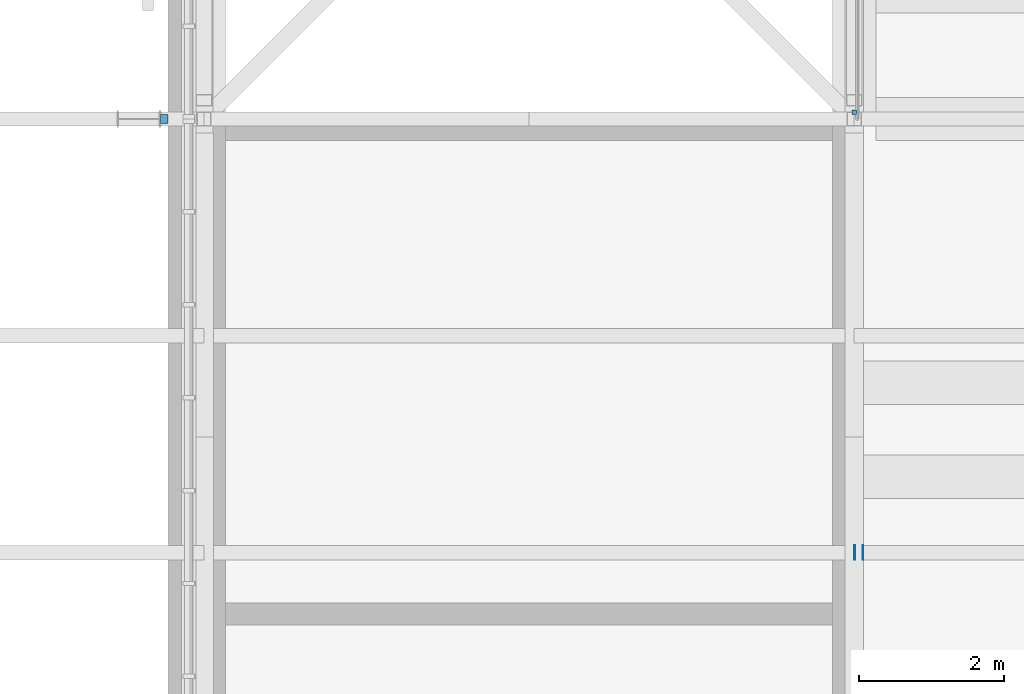
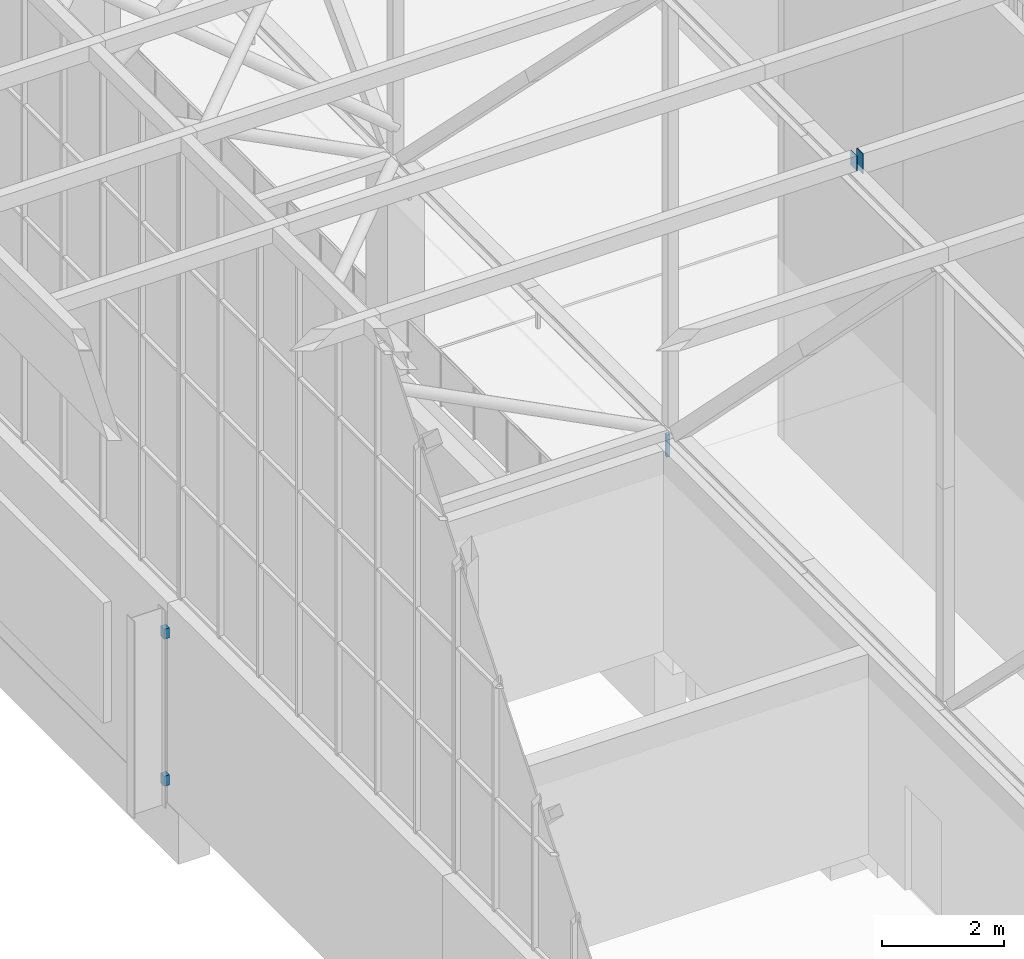
# One storey, part 185 of 646: 5 discrete accessories.
"""IFC4 building model written with IfcOpenShell, lengths in metres."""

from ifc_helpers import new_model, si_unit, direction, frame, origin, origin_2d, place, context, subcontext, project, spatial, rectangle, extrude, material, layer, layer_set, type_object, element, save


model = new_model("IFC4")

# Units and contexts
model_context = context("Model", 3, precision=1e-05, world=origin(), true_north=direction((0.0, 1.0)))
body_context = subcontext(model_context, "Body", "Model", "MODEL_VIEW")
ifc_project = project(units=[si_unit("LENGTHUNIT", "METRE"), si_unit("AREAUNIT", "SQUARE_METRE"), si_unit("VOLUMEUNIT", "CUBIC_METRE"), si_unit("PLANEANGLEUNIT", "RADIAN"), si_unit("MASSUNIT", "GRAM", prefix="KILO")], contexts=[model_context])

# Site, building, storey
site_placement = place(None, origin())
site = spatial("IfcSite", under=ifc_project, at=site_placement, CompositionType="ELEMENT")
building_placement = place(site_placement, origin())
building = spatial("IfcBuilding", under=site, at=building_placement, Name="Silverbay Arena", CompositionType="ELEMENT")
storey_placement = place(building_placement, frame((0.0, 0.0, 33.5)))
storey = spatial("IfcBuildingStorey", under=building, at=storey_placement, Name="L05", CompositionType="ELEMENT", Elevation=33.5)

# Discrete accessories
ifc_material_1 = material(Name="Steel S355", Category="steel")
discrete_accessory_type_1 = type_object("IfcDiscreteAccessoryType", Name="Ceiling hanger", PredefinedType="BRACKET", material=ifc_material_1)
discrete_accessory_1_placement = place(storey_placement, frame((63.0, 72.094970703125, 3.5498046875), z_axis=(0.0, 0.0, 1.0), x_axis=(1.0, 0.0, 0.0)))
element("IfcDiscreteAccessory", 1, at=discrete_accessory_1_placement, inside=storey, type_object=discrete_accessory_type_1, Name="Ceiling hanger", PredefinedType="BRACKET", context=body_context, shape_type="SweptSolid", body=[
    extrude(rectangle(XDim=0.06005859375, YDim=0.06005859375, at=origin_2d()), origin(), (0.0, 0.0, 1.0), 0.449951171875),
])
ifc_material_2 = material(Name="Steel S355", Category="steel")
ifc_layer = layer(ifc_material_2, 0.011962890625)
ifc_layer_set = layer_set([ifc_layer], Name="Steel S355")
discrete_accessory_type_2 = type_object("IfcDiscreteAccessoryType", Name="Purlin end plate 12", PredefinedType="USERDEFINED", material=ifc_layer_set)
discrete_accessory_2_placement = place(storey_placement, frame((63.0, 66.0, 13.14990234375), z_axis=(1.0, 0.0, 0.0), x_axis=(0.0, 1.0, 0.0)))
element("IfcDiscreteAccessory", 2, at=discrete_accessory_2_placement, inside=storey, type_object=discrete_accessory_type_2, Name="Purlin end plate", ObjectType="END PLATE", PredefinedType="USERDEFINED", context=body_context, shape_type="SweptSolid", body=[
    extrude(rectangle(XDim=0.199951171875, YDim=0.300048828125, at=origin_2d()), origin(), (0.0, 0.0, 1.0), 0.011962890625),
])
discrete_accessory_3_placement = place(storey_placement, frame((63.127197265625, 66.0, 13.10009765625), z_axis=(-1.0, 0.0, 0.0), x_axis=(0.0, -1.0, 0.0)))
element("IfcDiscreteAccessory", 3, at=discrete_accessory_3_placement, inside=storey, type_object=discrete_accessory_type_2, Name="Purlin end plate", ObjectType="END PLATE", PredefinedType="USERDEFINED", context=body_context, shape_type="SweptSolid", body=[
    extrude(rectangle(XDim=0.199951171875, YDim=0.39990234375, at=origin_2d()), origin(), (0.0, 0.0, 1.0), 0.011962890625),
])
ifc_material_3 = material(Name="Steel S355", Category="steel")
discrete_accessory_type_3 = type_object("IfcDiscreteAccessoryType", Name="Steel bracket plate", PredefinedType="BRACKET", material=ifc_material_3)
for number, where, z_axis, x_axis, name in (
    (4, (53.449951171875, 72.0, 0.39990234375), (0.0, 0.0, 1.0), (1.0, 0.0, 0.0), "Fin bracket"),
    (5, (53.449951171875, 72.0, 3.33984375), (0.0, 0.0, 1.0), (1.0, 0.0, 0.0), "Fin bracket"),
):
    element("IfcDiscreteAccessory", number, at=place(storey_placement, frame(where, z_axis=z_axis, x_axis=x_axis)), inside=storey, type_object=discrete_accessory_type_3, Name=name, PredefinedType="BRACKET", context=body_context, shape_type="SweptSolid", body=[
        extrude(rectangle(XDim=0.10009765625, YDim=0.1201171875, at=origin_2d()), origin(), (0.0, 0.0, 1.0), 0.199951171875),
    ])

save(model, "model.ifc")
